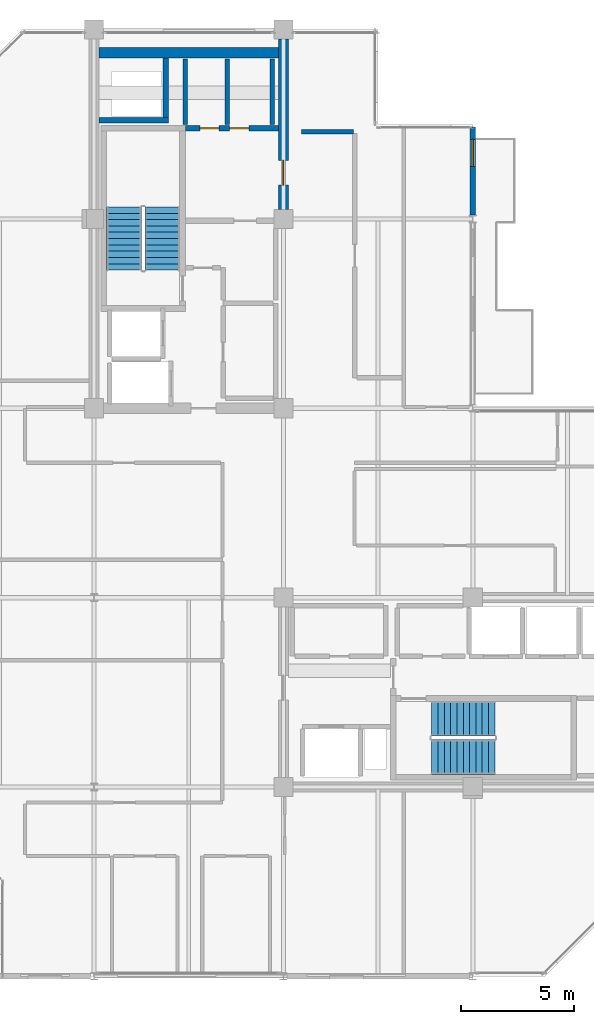
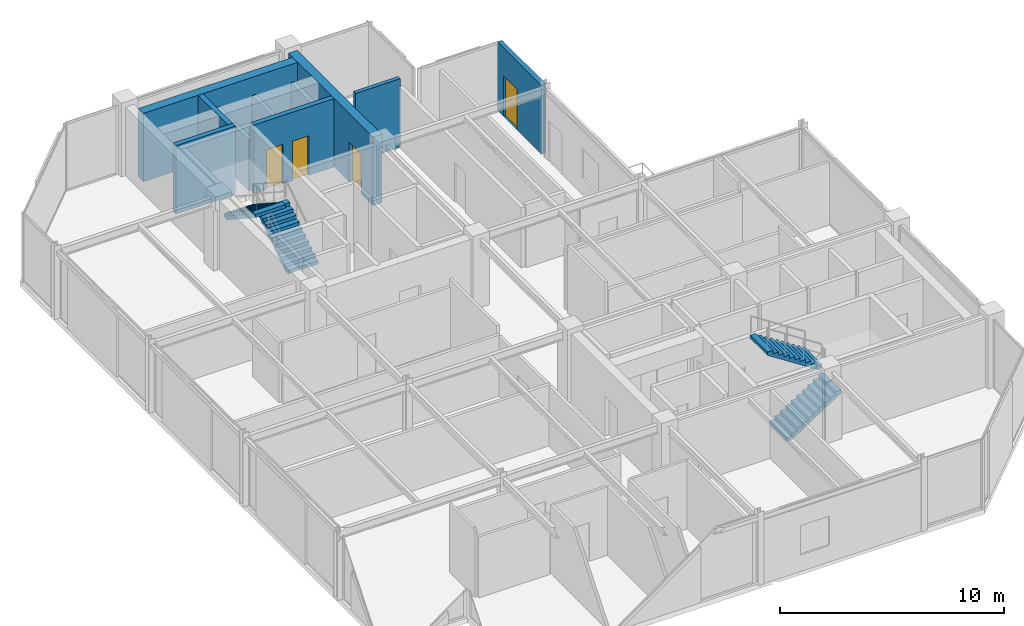
# One storey, part 22 of 24: 10 walls, 4 doors, 4 stair flights, 4 openings, 2 elements without a shape of their own.
"""IFC4 building model written with IfcOpenShell, lengths in metres."""

from ifc_helpers import new_model, si_unit, direction, frame, frame_2d, origin, place, context, subcontext, project, spatial, polyline, rectangle, outline, extrude, material, layer, layer_set, type_object, element, fill, aggregate, save


model = new_model("IFC4")

# Units and contexts
model_context = context("Model", 3, precision=1e-05, world=origin(), true_north=direction((0.0, 1.0)))
body_context = subcontext(model_context, "Body", "Model", "MODEL_VIEW")
ifc_project = project(units=[si_unit("LENGTHUNIT", "METRE"), si_unit("AREAUNIT", "SQUARE_METRE"), si_unit("VOLUMEUNIT", "CUBIC_METRE"), si_unit("PLANEANGLEUNIT", "RADIAN"), si_unit("MASSUNIT", "GRAM", prefix="KILO")], contexts=[model_context])

# Site, building, storey
site_placement = place(None, origin())
site = spatial("IfcSite", under=ifc_project, at=site_placement, CompositionType="ELEMENT")
building_placement = place(site_placement, origin())
building = spatial("IfcBuilding", under=site, at=building_placement, Name="Nerrivon Quay Data Exchange", CompositionType="ELEMENT")
storey_placement = place(building_placement, frame((0.0, 0.0, 298.199951171875)))
storey = spatial("IfcBuildingStorey", under=building, at=storey_placement, Name="L71", CompositionType="ELEMENT", Elevation=298.199951171875)

# Wall, opening, door
ifc_material_1 = material(Name="Architectural terracotta precast concrete N50 (50 MPa)", Category="masonry")
ifc_layer_1 = layer(ifc_material_1, 0.239990234375)
ifc_layer_set_1 = layer_set([ifc_layer_1], Name="Architectural terracotta precast concrete N50 (50 MPa)")
wall_type_1 = type_object("IfcWallType", Name="EW-PREC-240", PredefinedType="STANDARD", material=ifc_layer_set_1)
wall_1_placement = place(storey_placement, frame((25.199951171875, 37.679931640625, 0.0), z_axis=(0.0, 0.0, 1.0), x_axis=(0.0, -1.0, 0.0)))
wall_1 = element("IfcWall", 1, at=wall_1_placement, inside=storey, type_object=wall_type_1, Name="L71 Terrace Host Wall 19", PredefinedType="STANDARD", context=body_context, shape_type="SweptSolid", body=[
    extrude(rectangle(XDim=3.91650390625, YDim=0.239990234375, at=frame_2d((1.958251953125, 0.0))), origin(), (0.0, 0.0, 1.0), 3.72509765625),
])
opening_1_placement = place(wall_1_placement, frame((0.550048828125, 0.0, 0.0)))
opening_1 = element("IfcOpeningElement", 2, at=opening_1_placement, cuts=wall_1, Name="Opening TD1", PredefinedType="OPENING", context=body_context, shape_type="SweptSolid", body=[
    extrude(rectangle(XDim=1.199951171875, YDim=2.199951171875, at=frame_2d((0.60009765625, 1.10009765625))), frame((0.0, 0.1298828125, 0.0), z_axis=(0.0, -1.0, 0.0), x_axis=(1.0, 0.0, 0.0)), (0.0, 0.0, 1.0), 0.260009765625),
])
ifc_material_2 = material(Name="Double-glazed low-E solar control glass", Category="glass")
door_type_1 = type_object("IfcDoorType", Name="DR-TERR-1200x2200", OperationType="NOTDEFINED", PredefinedType="DOOR", material=ifc_material_2)
door_1_placement = place(opening_1_placement, origin())
door_1 = element("IfcDoor", 3, at=door_1_placement, inside=storey, type_object=door_type_1, Name="L71 Outdoor Terrace Access Door 19", OperationType="SINGLE_SWING_RIGHT", OverallHeight=2.199951171875, OverallWidth=1.199951171875, PredefinedType="DOOR", context=body_context, shape_type="SweptSolid", body=[
    extrude(rectangle(XDim=1.199951171875, YDim=2.199951171875, at=frame_2d((0.60009765625, 1.10009765625))), frame((0.0, 0.02490234375, 0.0), z_axis=(0.0, -1.0, 0.0), x_axis=(1.0, 0.0, 0.0)), (0.0, 0.0, 1.0), 0.050048828125),
])
fill(opening_1, door_1)

# Wall
ifc_material_3 = material(Name="Concrete N50 (50 MPa)", Category="concrete")
ifc_layer_2 = layer(ifc_material_3, 0.449951171875)
ifc_layer_set_2 = layer_set([ifc_layer_2], Name="Concrete N50 (50 MPa)")
wall_type_2 = type_object("IfcWallType", Name="WALL-CW-550", PredefinedType="SHEAR", material=ifc_layer_set_2)
wall_2_placement = place(storey_placement, frame((8.625, 40.97509765625, 0.0), z_axis=(0.0, 0.0, 1.0), x_axis=(1.0, 0.0, 0.0)))
element("IfcWall", 4, at=wall_2_placement, inside=storey, type_object=wall_type_2, Name="L71 West Split-Core Shear Wall WCW-N1", PredefinedType="SHEAR", context=body_context, shape_type="SweptSolid", body=[
    extrude(rectangle(XDim=7.949951171875, YDim=0.449951171875, at=frame_2d((3.97509765625, 0.0))), origin(), (0.0, 0.0, 1.0), 3.72509765625),
])

# Wall, opening, door
wall_3_placement = place(storey_placement, frame((16.800048828125, 34.02490234375, 0.0), z_axis=(0.0, 0.0, 1.0), x_axis=(0.0, 1.0, 0.0)))
wall_3 = element("IfcWall", 5, at=wall_3_placement, inside=storey, type_object=wall_type_2, Name="L71 West Split-Core Shear Wall WCW-E1", PredefinedType="SHEAR", context=body_context, shape_type="SweptSolid", body=[
    extrude(rectangle(XDim=7.550048828125, YDim=0.449951171875, at=frame_2d((3.77490234375, 0.0))), origin(), (0.0, 0.0, 1.0), 3.72509765625),
])
opening_2_placement = place(wall_3_placement, frame((1.074951171875, 0.0, 0.0)))
opening_2 = element("IfcOpeningElement", 6, at=opening_2_placement, cuts=wall_3, Name="Opening FD-120", PredefinedType="OPENING", context=body_context, shape_type="SweptSolid", body=[
    extrude(rectangle(XDim=1.10009765625, YDim=2.14990234375, at=frame_2d((0.550048828125, 1.074951171875))), frame((0.0, 0.23486328125, 0.0), z_axis=(0.0, -1.0, 0.0), x_axis=(1.0, 0.0, 0.0)), (0.0, 0.0, 1.0), 0.469970703125),
])
ifc_material_4 = material(Name="Powder-coated galvanized steel sheet", Category="steel")
door_type_2 = type_object("IfcDoorType", Name="DR-FD120-1100", OperationType="NOTDEFINED", PredefinedType="DOOR", material=ifc_material_4)
door_2_placement = place(opening_2_placement, origin())
door_2 = element("IfcDoor", 7, at=door_2_placement, inside=storey, type_object=door_type_2, Name="L71 West Core Lobby Fire Door", OperationType="SINGLE_SWING_RIGHT", OverallHeight=2.14990234375, OverallWidth=1.10009765625, PredefinedType="DOOR", context=body_context, shape_type="SweptSolid", body=[
    extrude(rectangle(XDim=1.10009765625, YDim=2.14990234375, at=frame_2d((0.550048828125, 1.074951171875))), frame((0.0, 0.02490234375, 0.0), z_axis=(0.0, -1.0, 0.0), x_axis=(1.0, 0.0, 0.0)), (0.0, 0.0, 1.0), 0.050048828125),
])
fill(opening_2, door_2)

# Walls
ifc_material_5 = material(Name="Gypsum plasterboard on cold-formed framing", Category="gypsum")
ifc_layer_3 = layer(ifc_material_5, 0.199951171875)
ifc_layer_set_3 = layer_set([ifc_layer_3], Name="Gypsum plasterboard on cold-formed framing")
wall_type_3 = type_object("IfcWallType", Name="WALL-FW-200", PredefinedType="PARTITIONING", material=ifc_layer_set_3)
for number, where, z_axis, x_axis, name in (
    (8, (14.300048828125, 37.780029296875, 0.0), (0.0, 0.0, 1.0), (0.0, 1.0, 0.0), "L71 Partition Cleaners Store"),
    (9, (12.449951171875, 40.699951171875, 0.0), (0.0, 0.0, 1.0), (0.0, -1.0, 0.0), "L71 Partition Cleaners Store"),
    (10, (16.300048828125, 37.780029296875, 0.0), (0.0, 0.0, 1.0), (0.0, 1.0, 0.0), "L71 Partition Janitor Closet"),
):
    element("IfcWall", number, at=place(storey_placement, frame(where, z_axis=z_axis, x_axis=x_axis)), inside=storey, type_object=wall_type_3, Name=name, PredefinedType="PARTITIONING", context=body_context, shape_type="SweptSolid", body=[
        extrude(rectangle(XDim=2.919921875, YDim=0.199951171875, at=frame_2d((1.4599609375, 0.0))), origin(), (0.0, 0.0, 1.0), 2.775146484375),
    ])
wall_4_placement = place(storey_placement, frame((17.60009765625, 37.4599609375, 0.0), z_axis=(0.0, 0.0, 1.0), x_axis=(1.0, 0.0, 0.0)))
element("IfcWall", 11, at=wall_4_placement, inside=storey, type_object=wall_type_3, Name="L71 Partition Colocation Data Workspace 1", PredefinedType="PARTITIONING", context=body_context, shape_type="SweptSolid", body=[
    extrude(rectangle(XDim=2.2998046875, YDim=0.199951171875, at=frame_2d((1.14990234375, 0.0))), origin(), (0.0, 0.0, 1.0), 3.72509765625),
])
ifc_layer_4 = layer(ifc_material_3, 0.25)
ifc_layer_set_4 = layer_set([ifc_layer_4], Name="Concrete N50 (50 MPa)")
wall_type_4 = type_object("IfcWallType", Name="WALL-SW-250", PredefinedType="SHEAR", material=ifc_layer_set_4)
wall_5_placement = place(storey_placement, frame((8.625, 37.97509765625, 0.0), z_axis=(0.0, 0.0, 1.0), x_axis=(1.0, 0.0, 0.0)))
element("IfcWall", 12, at=wall_5_placement, inside=storey, type_object=wall_type_4, Name="L71 West Core MEP Riser Shaft Wall S", PredefinedType="SHEAR", context=body_context, shape_type="SweptSolid", body=[
    extrude(rectangle(XDim=3.074951171875, YDim=0.25, at=frame_2d((1.53759765625, 0.0))), origin(), (0.0, 0.0, 1.0), 3.72509765625),
])
wall_6_placement = place(storey_placement, frame((11.574951171875, 38.10009765625, 0.0), z_axis=(0.0, 0.0, 1.0), x_axis=(0.0, 1.0, 0.0)))
element("IfcWall", 13, at=wall_6_placement, inside=storey, type_object=wall_type_4, Name="L71 West Core MEP Riser Shaft Wall E", PredefinedType="SHEAR", context=body_context, shape_type="SweptSolid", body=[
    extrude(rectangle(XDim=2.64990234375, YDim=0.25, at=frame_2d((1.324951171875, 0.0))), origin(), (0.0, 0.0, 1.0), 3.72509765625),
])

# Wall, openings, doors
wall_7_placement = place(storey_placement, frame((12.449951171875, 37.625, 0.0), z_axis=(0.0, 0.0, 1.0), x_axis=(1.0, 0.0, 0.0)))
wall_7 = element("IfcWall", 14, at=wall_7_placement, inside=storey, type_object=wall_type_4, Name="L71 West Firefighting Lobby Wall", PredefinedType="SHEAR", context=body_context, shape_type="SweptSolid", body=[
    extrude(rectangle(XDim=4.125, YDim=0.25, at=frame_2d((2.0625, 0.0))), origin(), (0.0, 0.0, 1.0), 3.72509765625),
])
opening_3_placement = place(wall_7_placement, frame((0.6474609375, 0.0, 0.0)))
opening_3 = element("IfcOpeningElement", 15, at=opening_3_placement, cuts=wall_7, Name="Opening FD-60S", PredefinedType="OPENING", context=body_context, shape_type="SweptSolid", body=[
    extrude(rectangle(XDim=0.85009765625, YDim=2.14990234375, at=frame_2d((0.425048828125, 1.074951171875))), frame((0.0, 0.135009765625, 0.0), z_axis=(0.0, -1.0, 0.0), x_axis=(1.0, 0.0, 0.0)), (0.0, 0.0, 1.0), 0.27001953125),
])
opening_4_placement = place(wall_7_placement, frame((1.967529296875, 0.0, 0.0)))
opening_4 = element("IfcOpeningElement", 16, at=opening_4_placement, cuts=wall_7, Name="Opening FD-60S", PredefinedType="OPENING", context=body_context, shape_type="SweptSolid", body=[
    extrude(rectangle(XDim=0.85009765625, YDim=2.14990234375, at=frame_2d((0.425048828125, 1.074951171875))), frame((0.0, 0.135009765625, 0.0), z_axis=(0.0, -1.0, 0.0), x_axis=(1.0, 0.0, 0.0)), (0.0, 0.0, 1.0), 0.27001953125),
])
ifc_material_6 = material(Name="Engineered hardwood timber", Category="wood")
door_type_3 = type_object("IfcDoorType", Name="DR-FD60-850", OperationType="NOTDEFINED", PredefinedType="DOOR", material=ifc_material_6)
door_3_placement = place(opening_3_placement, origin())
door_3 = element("IfcDoor", 17, at=door_3_placement, inside=storey, type_object=door_type_3, Name="L71 Door Cleaners Store", OperationType="SINGLE_SWING_LEFT", OverallHeight=2.14990234375, OverallWidth=0.85009765625, PredefinedType="DOOR", context=body_context, shape_type="SweptSolid", body=[
    extrude(rectangle(XDim=0.85009765625, YDim=2.14990234375, at=frame_2d((0.425048828125, 1.074951171875))), frame((0.0, 0.02490234375, 0.0), z_axis=(0.0, -1.0, 0.0), x_axis=(1.0, 0.0, 0.0)), (0.0, 0.0, 1.0), 0.050048828125),
])
fill(opening_3, door_3)
door_4_placement = place(opening_4_placement, origin())
door_4 = element("IfcDoor", 18, at=door_4_placement, inside=storey, type_object=door_type_3, Name="L71 Door Janitor Closet", OperationType="SINGLE_SWING_RIGHT", OverallHeight=2.14990234375, OverallWidth=0.85009765625, PredefinedType="DOOR", context=body_context, shape_type="SweptSolid", body=[
    extrude(rectangle(XDim=0.85009765625, YDim=2.14990234375, at=frame_2d((0.425048828125, 1.074951171875))), frame((0.0, 0.02490234375, 0.0), z_axis=(0.0, -1.0, 0.0), x_axis=(1.0, 0.0, 0.0)), (0.0, 0.0, 1.0), 0.050048828125),
])
fill(opening_4, door_4)

# Stair, stair flights
stair_type = type_object("IfcStairType", Name="STAIR-DOG-40", PredefinedType="HALF_TURN_STAIR", material=ifc_material_3)
stair_1_placement = place(storey_placement, origin())
stair_1 = element("IfcStair", 19, at=stair_1_placement, inside=storey, type_object=stair_type, Name="L71 West Core Fire Stair ST01", PredefinedType="HALF_TURN_STAIR")
stair_flight_type = type_object("IfcStairFlightType", Name="FLIGHT-DOG-40", PredefinedType="STRAIGHT", material=ifc_material_3)
stair_flight_1_placement = place(storey_placement, frame((11.425048828125, 31.330078125, 0.0), z_axis=(0.0, 0.0, 1.0), x_axis=(0.0, 1.0, 0.0)))
stair_flight_1 = element("IfcStairFlight", 20, at=stair_flight_1_placement, type_object=stair_flight_type, Name="ST01 flight 1", NumberOfRisers=11, NumberOfTreads=10, PredefinedType="STRAIGHT", RiserHeight=0.181818182, TreadLength=0.28, context=body_context, shape_type="SweptSolid", body=[
    extrude(outline(polyline([(0.0, 0.0), (0.0, 0.181884765625), (0.280029296875, 0.181884765625), (0.280029296875, 0.363525390625), (0.56005859375, 0.363525390625), (0.56005859375, 0.54541015625), (0.840087890625, 0.54541015625), (0.840087890625, 0.727294921875), (1.1201171875, 0.727294921875), (1.1201171875, 0.9091796875), (1.39990234375, 0.9091796875), (1.39990234375, 1.0908203125), (1.679931640625, 1.0908203125), (1.679931640625, 1.272705078125), (1.9599609375, 1.272705078125), (1.9599609375, 1.45458984375), (2.239990234375, 1.45458984375), (2.239990234375, 1.636474609375), (2.52001953125, 1.636474609375), (2.52001953125, 1.818115234375), (2.800048828125, 1.818115234375), (2.800048828125, 2.0), (2.800048828125, 1.639404296875), (0.275146484375, 0.0), (0.0, 0.0)])), frame((0.0, 0.77490234375, 0.0), z_axis=(0.0, -1.0, 0.0), x_axis=(1.0, 0.0, 0.0)), (0.0, 0.0, 1.0), 1.550048828125),
])
stair_flight_2_placement = place(storey_placement, frame((9.72509765625, 34.1298828125, 2.0), z_axis=(0.0, 0.0, 1.0), x_axis=(0.0, -1.0, 0.0)))
stair_flight_2 = element("IfcStairFlight", 21, at=stair_flight_2_placement, type_object=stair_flight_type, Name="ST01 flight 2", NumberOfRisers=11, NumberOfTreads=10, PredefinedType="STRAIGHT", RiserHeight=0.181818182, TreadLength=0.28, context=body_context, shape_type="SweptSolid", body=[
    extrude(outline(polyline([(0.0, 0.0), (0.0, 0.181884765625), (0.280029296875, 0.181884765625), (0.280029296875, 0.363525390625), (0.56005859375, 0.363525390625), (0.56005859375, 0.54541015625), (0.840087890625, 0.54541015625), (0.840087890625, 0.727294921875), (1.1201171875, 0.727294921875), (1.1201171875, 0.9091796875), (1.39990234375, 0.9091796875), (1.39990234375, 1.0908203125), (1.679931640625, 1.0908203125), (1.679931640625, 1.272705078125), (1.9599609375, 1.272705078125), (1.9599609375, 1.45458984375), (2.239990234375, 1.45458984375), (2.239990234375, 1.636474609375), (2.52001953125, 1.636474609375), (2.52001953125, 1.818115234375), (2.800048828125, 1.818115234375), (2.800048828125, 2.0), (2.800048828125, 1.639404296875), (0.275146484375, 0.0), (0.0, 0.0)])), frame((0.0, 0.77490234375, 0.0), z_axis=(0.0, -1.0, 0.0), x_axis=(1.0, 0.0, 0.0)), (0.0, 0.0, 1.0), 1.550048828125),
])
aggregate(stair_1, [stair_flight_1, stair_flight_2])

stair_2_placement = place(storey_placement, origin())
stair_2 = element("IfcStair", 22, at=stair_2_placement, inside=storey, type_object=stair_type, Name="L71 East Core Fire Stair ST02", PredefinedType="HALF_TURN_STAIR")
stair_flight_3_placement = place(storey_placement, frame((23.3798828125, 9.72509765625, 0.0), z_axis=(0.0, 0.0, 1.0), x_axis=(1.0, 0.0, 0.0)))
stair_flight_3 = element("IfcStairFlight", 23, at=stair_flight_3_placement, type_object=stair_flight_type, Name="ST02 flight 1", NumberOfRisers=11, NumberOfTreads=10, PredefinedType="STRAIGHT", RiserHeight=0.181818182, TreadLength=0.28, context=body_context, shape_type="SweptSolid", body=[
    extrude(outline(polyline([(0.0, 0.0), (0.0, 0.181884765625), (0.280029296875, 0.181884765625), (0.280029296875, 0.363525390625), (0.56005859375, 0.363525390625), (0.56005859375, 0.54541015625), (0.840087890625, 0.54541015625), (0.840087890625, 0.727294921875), (1.1201171875, 0.727294921875), (1.1201171875, 0.9091796875), (1.39990234375, 0.9091796875), (1.39990234375, 1.0908203125), (1.679931640625, 1.0908203125), (1.679931640625, 1.272705078125), (1.9599609375, 1.272705078125), (1.9599609375, 1.45458984375), (2.239990234375, 1.45458984375), (2.239990234375, 1.636474609375), (2.52001953125, 1.636474609375), (2.52001953125, 1.818115234375), (2.800048828125, 1.818115234375), (2.800048828125, 2.0), (2.800048828125, 1.639404296875), (0.275146484375, 0.0), (0.0, 0.0)])), frame((0.0, 0.77490234375, 0.0), z_axis=(0.0, -1.0, 0.0), x_axis=(1.0, 0.0, 0.0)), (0.0, 0.0, 1.0), 1.550048828125),
])
stair_flight_4_placement = place(storey_placement, frame((26.179931640625, 11.425048828125, 2.0), z_axis=(0.0, 0.0, 1.0), x_axis=(-1.0, 0.0, 0.0)))
stair_flight_4 = element("IfcStairFlight", 24, at=stair_flight_4_placement, type_object=stair_flight_type, Name="ST02 flight 2", NumberOfRisers=11, NumberOfTreads=10, PredefinedType="STRAIGHT", RiserHeight=0.181818182, TreadLength=0.28, context=body_context, shape_type="SweptSolid", body=[
    extrude(outline(polyline([(0.0, 0.0), (0.0, 0.181884765625), (0.280029296875, 0.181884765625), (0.280029296875, 0.363525390625), (0.56005859375, 0.363525390625), (0.56005859375, 0.54541015625), (0.840087890625, 0.54541015625), (0.840087890625, 0.727294921875), (1.1201171875, 0.727294921875), (1.1201171875, 0.9091796875), (1.39990234375, 0.9091796875), (1.39990234375, 1.0908203125), (1.679931640625, 1.0908203125), (1.679931640625, 1.272705078125), (1.9599609375, 1.272705078125), (1.9599609375, 1.45458984375), (2.239990234375, 1.45458984375), (2.239990234375, 1.636474609375), (2.52001953125, 1.636474609375), (2.52001953125, 1.818115234375), (2.800048828125, 1.818115234375), (2.800048828125, 2.0), (2.800048828125, 1.639404296875), (0.275146484375, 0.0), (0.0, 0.0)])), frame((0.0, 0.77490234375, 0.0), z_axis=(0.0, -1.0, 0.0), x_axis=(1.0, 0.0, 0.0)), (0.0, 0.0, 1.0), 1.550048828125),
])
aggregate(stair_2, [stair_flight_3, stair_flight_4])

save(model, "model.ifc")
